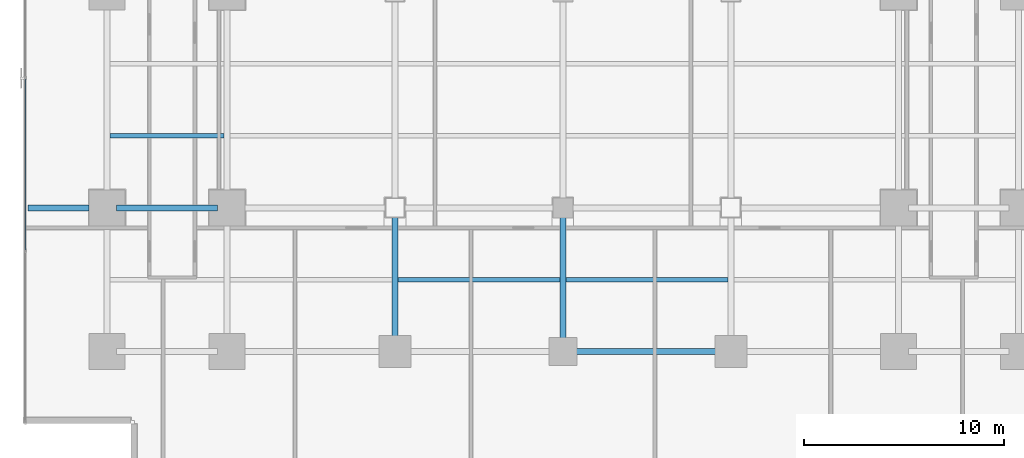
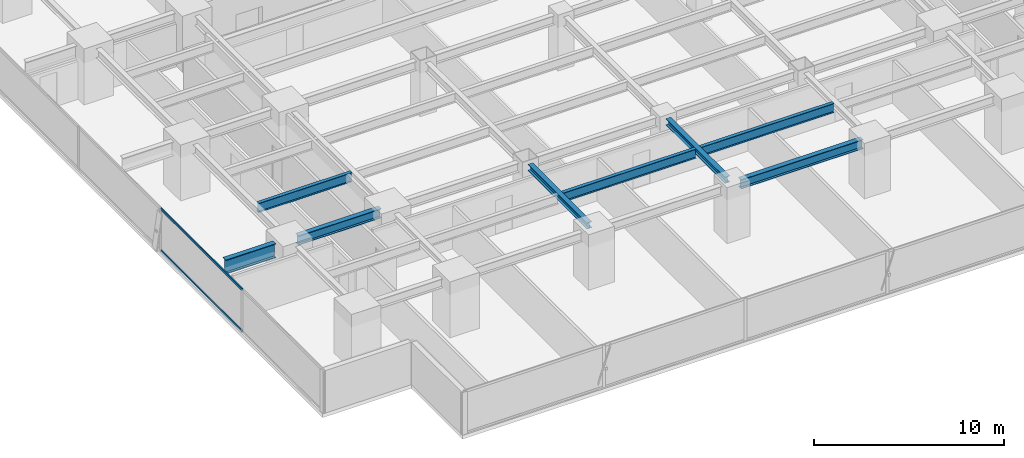
# One storey, part 6 of 33: 8 beams, 2 members, 1 element without a shape of its own.
"""IFC4 building model written with IfcOpenShell, lengths in metres."""

from ifc_helpers import new_model, si_unit, direction, frame, origin, origin_2d, place, context, subcontext, project, spatial, hollow_rectangle, i_section, extrude, source, transform, mapped, material, layer, layer_set, material_profile, profile_set, type_object, element, aggregate, save


model = new_model("IFC4")

# Units and contexts
model_context = context("Model", 3, precision=1e-05, world=origin(), true_north=direction((0.0, 1.0)))
body_context = subcontext(model_context, "Body", "Model", "MODEL_VIEW")
ifc_project = project(units=[si_unit("LENGTHUNIT", "METRE"), si_unit("AREAUNIT", "SQUARE_METRE"), si_unit("VOLUMEUNIT", "CUBIC_METRE"), si_unit("PLANEANGLEUNIT", "RADIAN"), si_unit("MASSUNIT", "GRAM", prefix="KILO")], contexts=[model_context])

# Site, building, storey
site_placement = place(None, origin())
site = spatial("IfcSite", under=ifc_project, at=site_placement, CompositionType="ELEMENT")
building_placement = place(site_placement, origin())
building = spatial("IfcBuilding", under=site, at=building_placement, Name="Sumidabori Civic Tower", CompositionType="ELEMENT")
storey_placement = place(building_placement, frame((0.0, 0.0, 59.60009765625)))
storey = spatial("IfcBuildingStorey", under=building, at=storey_placement, Name="L15", CompositionType="ELEMENT", Elevation=59.60009765625)

# Beams
ifc_material_1 = material(Name="Steel SN490", Category="steel")
ifc_material_profile_1 = material_profile(ifc_material_1, i_section(OverallWidth=0.300048828125, OverallDepth=0.60009765625, WebThickness=0.015380859375, FlangeThickness=0.030029296875, at=origin_2d()), Name="HE 600 B")
ifc_profile_set_1 = profile_set([ifc_material_profile_1], Name="Steel SN490")
beam_type_1 = type_object("IfcBeamType", Name="BM-GIRD-600", PredefinedType="BEAM", material=ifc_profile_set_1)
shared_shape_1 = source(origin(), body_context, "Body", "SweptSolid", [
    extrude(i_section(OverallWidth=0.300048828125, OverallDepth=0.60009765625, WebThickness=0.015380859375, FlangeThickness=0.030029296875, at=origin_2d()), origin(), (0.0, 0.0, 1.0), 5.0400390625),
])
beam_1_placement = place(storey_placement, frame((-22.320068359375, -10.800048828125, 3.059814453125), z_axis=(1.0, 0.0, 0.0), x_axis=(0.0, 1.0, 0.0)))
element("IfcBeam", 1, at=beam_1_placement, inside=storey, type_object=beam_type_1, Name="Primary Girder L15 GX-07", PredefinedType="BEAM", context=body_context, shape_type="MappedRepresentation", body=[
    mapped(shared_shape_1, transform((0.0, 0.0, 0.0), x_axis=(1.0, 0.0, 0.0), y_axis=(0.0, 1.0, 0.0), z_axis=(0.0, 0.0, 1.0), scale=1.0)),
])
shared_shape_2 = source(origin(), body_context, "Body", "SweptSolid", [
    extrude(i_section(OverallWidth=0.300048828125, OverallDepth=0.60009765625, WebThickness=0.015380859375, FlangeThickness=0.030029296875, at=origin_2d()), origin(), (0.0, 0.0, 1.0), 7.43994140625),
])
beam_2_placement = place(storey_placement, frame((0.47998046875, -18.0, 3.059814453125), z_axis=(1.0, 0.0, 0.0), x_axis=(0.0, 1.0, 0.0)))
element("IfcBeam", 2, at=beam_2_placement, inside=storey, type_object=beam_type_1, Name="Primary Girder L15 GX-04", PredefinedType="BEAM", context=body_context, shape_type="MappedRepresentation", body=[
    mapped(shared_shape_2, transform((0.0, 0.0, 0.0), x_axis=(1.0, 0.0, 0.0), y_axis=(0.0, 1.0, 0.0), z_axis=(0.0, 0.0, 1.0), scale=1.0)),
])
ifc_material_profile_2 = material_profile(ifc_material_1, i_section(OverallWidth=0.300048828125, OverallDepth=0.39990234375, WebThickness=0.013427734375, FlangeThickness=0.02392578125, at=origin_2d()), Name="HE 400 B")
ifc_profile_set_2 = profile_set([ifc_material_profile_2], Name="Steel SN490")
beam_type_2 = type_object("IfcBeamType", Name="BM-GIRD-400", PredefinedType="BEAM", material=ifc_profile_set_2)
shared_shape_3 = source(origin(), body_context, "Body", "SweptSolid", [
    extrude(i_section(OverallWidth=0.300048828125, OverallDepth=0.39990234375, WebThickness=0.013427734375, FlangeThickness=0.02392578125, at=origin_2d()), origin(), (0.0, 0.0, 1.0), 6.239990234375),
])
for number, where, z_axis, x_axis, name in (
    (3, (-8.39990234375, -17.52001953125, 3.159912109375), (0.0, 1.0, 0.0), (-1.0, 0.0, 0.0), "Primary Girder L15 GY-29"),
    (4, (0.0, -17.52001953125, 3.159912109375), (0.0, 1.0, 0.0), (-1.0, 0.0, 0.0), "Primary Girder L15 GY-31"),
):
    element("IfcBeam", number, at=place(storey_placement, frame(where, z_axis=z_axis, x_axis=x_axis)), inside=storey, type_object=beam_type_2, Name=name, PredefinedType="BEAM", context=body_context, shape_type="MappedRepresentation", body=[
        mapped(shared_shape_3, transform((0.0, 0.0, 0.0), x_axis=(1.0, 0.0, 0.0), y_axis=(0.0, 1.0, 0.0), z_axis=(0.0, 0.0, 1.0), scale=1.0)),
    ])
ifc_material_profile_3 = material_profile(ifc_material_1, i_section(OverallWidth=0.302001953125, OverallDepth=0.909912109375, WebThickness=0.02099609375, FlangeThickness=0.0400390625, at=origin_2d()), Name="HE 900 M")
ifc_profile_set_3 = profile_set([ifc_material_profile_3], Name="Steel SN490")
beam_type_3 = type_object("IfcBeamType", Name="BM-Z1-EDGE", PredefinedType="SPANDREL", material=ifc_profile_set_3)
shared_shape_4 = source(origin(), body_context, "Body", "SweptSolid", [
    extrude(i_section(OverallWidth=0.302001953125, OverallDepth=0.909912109375, WebThickness=0.02099609375, FlangeThickness=0.0400390625, at=origin_2d()), origin(), (0.0, 0.0, 1.0), 3.050048828125),
])
beam_3_placement = place(storey_placement, frame((-26.75, -10.800048828125, 2.90478515625), z_axis=(1.0, 0.0, 0.0), x_axis=(0.0, 1.0, 0.0)))
element("IfcBeam", 5, at=beam_3_placement, inside=storey, type_object=beam_type_3, Name="Perimeter Overhang Beam L15 W-44", PredefinedType="SPANDREL", context=body_context, shape_type="MappedRepresentation", body=[
    mapped(shared_shape_4, transform((0.0, 0.0, 0.0), x_axis=(1.0, 0.0, 0.0), y_axis=(0.0, 1.0, 0.0), z_axis=(0.0, 0.0, 1.0), scale=1.0)),
])
ifc_material_profile_4 = material_profile(ifc_material_1, i_section(OverallWidth=0.219970703125, OverallDepth=0.60009765625, WebThickness=0.011962890625, FlangeThickness=0.01904296875, at=origin_2d()), Name="IPE 600")
ifc_profile_set_4 = profile_set([ifc_material_profile_4], Name="Steel SN490")
beam_type_4 = type_object("IfcBeamType", Name="BM-JST-600", PredefinedType="JOIST", material=ifc_profile_set_4)
shared_shape_5 = source(origin(), body_context, "Body", "SweptSolid", [
    extrude(i_section(OverallWidth=0.219970703125, OverallDepth=0.60009765625, WebThickness=0.011962890625, FlangeThickness=0.01904296875, at=origin_2d()), origin(), (0.0, 0.0, 1.0), 5.699951171875),
])
beam_4_placement = place(storey_placement, frame((-22.64990234375, -7.199951171875, 3.059814453125), z_axis=(1.0, 0.0, 0.0), x_axis=(0.0, 1.0, 0.0)))
element("IfcBeam", 6, at=beam_4_placement, inside=storey, type_object=beam_type_4, Name="Outer Bay Floor Joist L15 JSTO-49", PredefinedType="JOIST", context=body_context, shape_type="MappedRepresentation", body=[
    mapped(shared_shape_5, transform((0.0, 0.0, 0.0), x_axis=(1.0, 0.0, 0.0), y_axis=(0.0, 1.0, 0.0), z_axis=(0.0, 0.0, 1.0), scale=1.0)),
])
shared_shape_6 = source(origin(), body_context, "Body", "SweptSolid", [
    extrude(i_section(OverallWidth=0.219970703125, OverallDepth=0.60009765625, WebThickness=0.011962890625, FlangeThickness=0.01904296875, at=origin_2d()), origin(), (0.0, 0.0, 1.0), 8.10009765625),
])
for number, where, z_axis, x_axis, name in (
    (7, (-8.25, -14.39990234375, 3.059814453125), (1.0, 0.0, 0.0), (0.0, 1.0, 0.0), "South Bay Floor Joist L15 JSTS-62"),
    (8, (0.14990234375, -14.39990234375, 3.059814453125), (1.0, 0.0, 0.0), (0.0, 1.0, 0.0), "South Bay Floor Joist L15 JSTS-63"),
):
    element("IfcBeam", number, at=place(storey_placement, frame(where, z_axis=z_axis, x_axis=x_axis)), inside=storey, type_object=beam_type_4, Name=name, PredefinedType="JOIST", context=body_context, shape_type="MappedRepresentation", body=[
        mapped(shared_shape_6, transform((0.0, 0.0, 0.0), x_axis=(1.0, 0.0, 0.0), y_axis=(0.0, 1.0, 0.0), z_axis=(0.0, 0.0, 1.0), scale=1.0)),
    ])

# Curtain wall, members
ifc_material_2 = material(Name="Anodised Bronze Aluminium AW-6063-T6", Category="aluminium")
ifc_layer = layer(ifc_material_2, 0.179931640625, Name="Anodised Bronze Aluminium AW-6063-T6")
ifc_layer_set = layer_set([ifc_layer], Name="Anodised Bronze Aluminium AW-6063-T6")
curtain_wall_type = type_object("IfcCurtainWallType", Name="CW-SYS-2", PredefinedType="NOTDEFINED", material=ifc_layer_set)
curtain_wall_placement = place(storey_placement, origin())
curtain_wall = element("IfcCurtainWall", 9, at=curtain_wall_placement, inside=storey, type_object=curtain_wall_type, Name="Curtain Wall CW:L15:R10", PredefinedType="NOTDEFINED")
ifc_material_profile_5 = material_profile(ifc_material_2, hollow_rectangle(XDim=0.06494140625, YDim=0.14990234375, WallThickness=0.0048828125, at=origin_2d()), Name="ALU TRANSOM 150x65")
ifc_profile_set_5 = profile_set([ifc_material_profile_5], Name="Anodised Bronze Aluminium AW-6063-T6")
member_type = type_object("IfcMemberType", Name="CW-TRN-150", PredefinedType="USERDEFINED", material=ifc_profile_set_5)
shared_shape_7 = source(origin(), body_context, "Body", "SweptSolid", [
    extrude(hollow_rectangle(XDim=0.06494140625, YDim=0.14990234375, WallThickness=0.0048828125, at=origin_2d()), origin(), (0.0, 0.0, 1.0), 8.557861328125),
])
member_1_placement = place(storey_placement, frame((-26.8798828125, -4.34912109375, 0.032470703125), z_axis=(0.0, -1.0, 0.0), x_axis=(1.0, 0.0, 0.0)))
member_1 = element("IfcMember", 10, at=member_1_placement, type_object=member_type, Name="CW-2 transom 4.1", ObjectType="TRANSOM", PredefinedType="USERDEFINED", context=body_context, shape_type="MappedRepresentation", body=[
    mapped(shared_shape_7, transform((0.0, 0.0, 0.0), x_axis=(1.0, 0.0, 0.0), y_axis=(0.0, 1.0, 0.0), z_axis=(0.0, 0.0, 1.0), scale=1.0)),
])
member_2_placement = place(storey_placement, frame((-26.8798828125, -4.34912109375, 2.70751953125), z_axis=(0.0, -1.0, 0.0), x_axis=(1.0, 0.0, 0.0)))
member_2 = element("IfcMember", 11, at=member_2_placement, type_object=member_type, Name="CW-2 transom 4.2", ObjectType="TRANSOM", PredefinedType="USERDEFINED", context=body_context, shape_type="MappedRepresentation", body=[
    mapped(shared_shape_7, transform((0.0, 0.0, 0.0), x_axis=(1.0, 0.0, 0.0), y_axis=(0.0, 1.0, 0.0), z_axis=(0.0, 0.0, 1.0), scale=1.0)),
])
aggregate(curtain_wall, [member_1, member_2])

save(model, "model.ifc")
